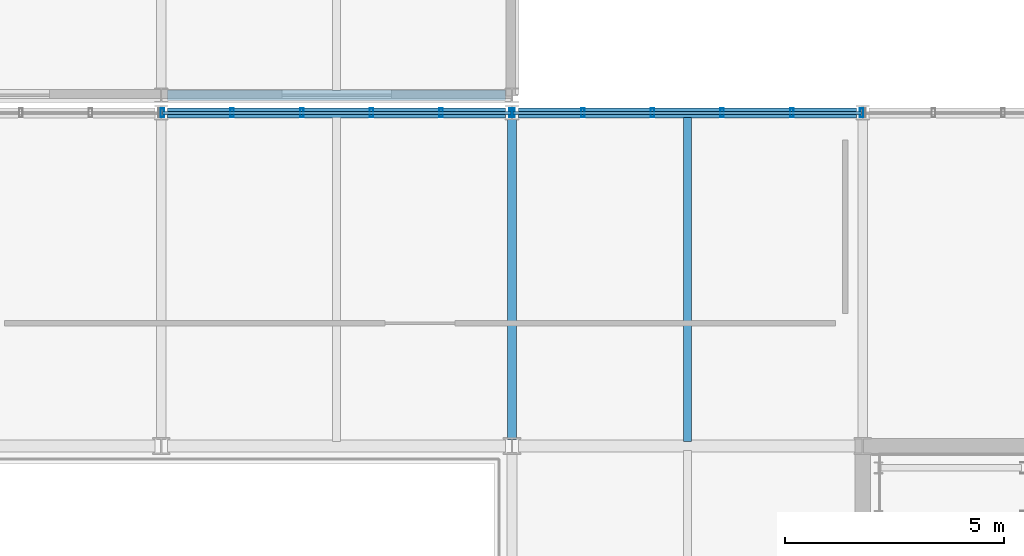
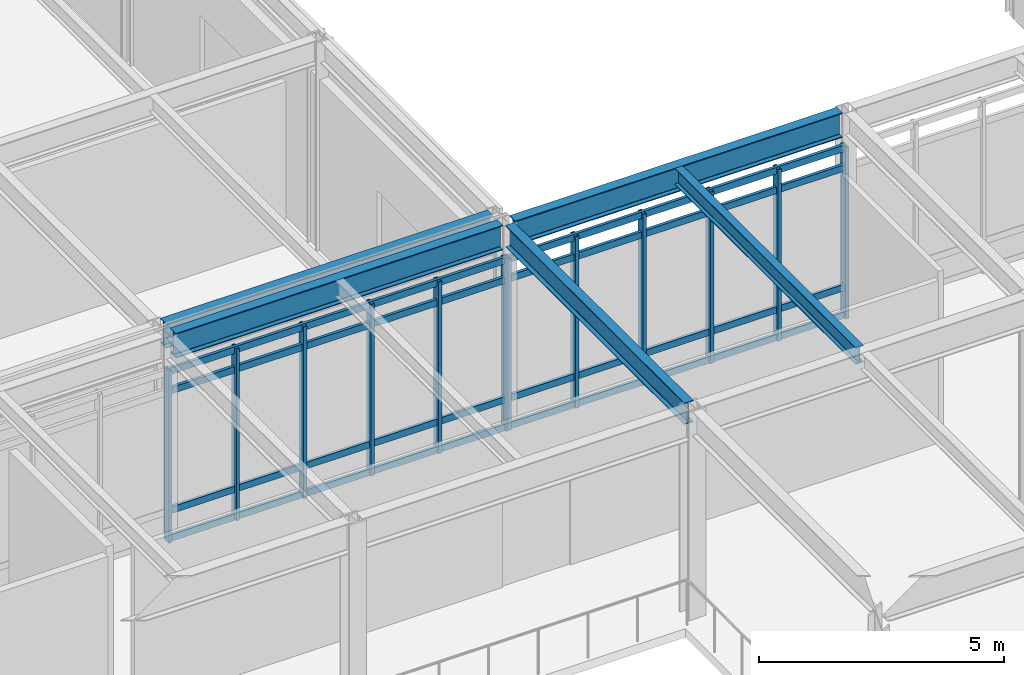
# One storey, part 46 of 94: 20 members, 5 beams, 2 elements without a shape of their own.
"""IFC4 building model written with IfcOpenShell, lengths in metres."""

from ifc_helpers import new_model, si_unit, direction, frame, origin, origin_2d, place, context, subcontext, project, spatial, hollow_rectangle, i_section, extrude, material, material_profile, profile_set, type_object, element, aggregate, save


model = new_model("IFC4")

# Units and contexts
model_context = context("Model", 3, precision=1e-05, world=origin(), true_north=direction((0.0, 1.0)))
body_context = subcontext(model_context, "Body", "Model", "MODEL_VIEW")
ifc_project = project(units=[si_unit("LENGTHUNIT", "METRE"), si_unit("AREAUNIT", "SQUARE_METRE"), si_unit("VOLUMEUNIT", "CUBIC_METRE"), si_unit("PLANEANGLEUNIT", "RADIAN"), si_unit("MASSUNIT", "GRAM", prefix="KILO")], contexts=[model_context])

# Site, building, storey
site_placement = place(None, origin())
site = spatial("IfcSite", under=ifc_project, at=site_placement, CompositionType="ELEMENT")
building_placement = place(site_placement, origin())
building = spatial("IfcBuilding", under=site, at=building_placement, Name="Zulena Civic Courthouse", CompositionType="ELEMENT")
storey_placement = place(building_placement, frame((0.0, 0.0, 5.39990234375)))
storey = spatial("IfcBuildingStorey", under=building, at=storey_placement, Name="L01", CompositionType="ELEMENT", Elevation=5.39990234375)

# Curtain wall, members
ifc_material_1 = material(Name="Double-silver low-E laminated solar-control glass", Category="glass")
curtain_wall_type = type_object("IfcCurtainWallType", Name="CW_7952x4280", PredefinedType="USERDEFINED", material=ifc_material_1)
curtain_wall_1_placement = place(storey_placement, origin())
curtain_wall_1 = element("IfcCurtainWall", 1, at=curtain_wall_1_placement, inside=storey, type_object=curtain_wall_type, Name="cw:V4:L01:1:4", ObjectType="UNITISED CURTAIN WALL", PredefinedType="USERDEFINED")
ifc_material_2 = material(Name="Bronze anodised thermally broken aluminium AA6063-T6", Category="aluminium")
ifc_material_profile_1 = material_profile(ifc_material_2, hollow_rectangle(XDim=0.080078125, YDim=0.199951171875, WallThickness=0.0048828125, at=origin_2d()), Name="CWM200X80X5")
ifc_profile_set_1 = profile_set([ifc_material_profile_1], Name="Bronze anodised thermally broken aluminium AA6063-T6")
member_type_1 = type_object("IfcMemberType", Name="CWMullion_200x80", PredefinedType="MULLION", material=ifc_profile_set_1)
member_1_placement = place(storey_placement, frame((100.02392578125, 45.60009765625, 0.0), z_axis=(0.0, 0.0, 1.0), x_axis=(1.0, 0.0, 0.0)))
member_1 = element("IfcMember", 2, at=member_1_placement, type_object=member_type_1, Name="cw:V4:L01:1:4:mull:0", PredefinedType="MULLION", context=body_context, shape_type="SweptSolid", body=[
    extrude(hollow_rectangle(XDim=0.080078125, YDim=0.199951171875, WallThickness=0.0048828125, at=origin_2d()), origin(), (0.0, 0.0, 1.0), 4.280029296875),
])
member_2_placement = place(storey_placement, frame((101.614501953125, 45.60009765625, 0.0), z_axis=(0.0, 0.0, 1.0), x_axis=(1.0, 0.0, 0.0)))
member_2 = element("IfcMember", 3, at=member_2_placement, type_object=member_type_1, Name="cw:V4:L01:1:4:mull:1", PredefinedType="MULLION", context=body_context, shape_type="SweptSolid", body=[
    extrude(hollow_rectangle(XDim=0.080078125, YDim=0.199951171875, WallThickness=0.0048828125, at=origin_2d()), origin(), (0.0, 0.0, 1.0), 4.280029296875),
])
member_3_placement = place(storey_placement, frame((103.204833984375, 45.60009765625, 0.0), z_axis=(0.0, 0.0, 1.0), x_axis=(1.0, 0.0, 0.0)))
member_3 = element("IfcMember", 4, at=member_3_placement, type_object=member_type_1, Name="cw:V4:L01:1:4:mull:2", PredefinedType="MULLION", context=body_context, shape_type="SweptSolid", body=[
    extrude(hollow_rectangle(XDim=0.080078125, YDim=0.199951171875, WallThickness=0.0048828125, at=origin_2d()), origin(), (0.0, 0.0, 1.0), 4.280029296875),
])
member_4_placement = place(storey_placement, frame((104.795166015625, 45.60009765625, 0.0), z_axis=(0.0, 0.0, 1.0), x_axis=(1.0, 0.0, 0.0)))
member_4 = element("IfcMember", 5, at=member_4_placement, type_object=member_type_1, Name="cw:V4:L01:1:4:mull:3", PredefinedType="MULLION", context=body_context, shape_type="SweptSolid", body=[
    extrude(hollow_rectangle(XDim=0.080078125, YDim=0.199951171875, WallThickness=0.0048828125, at=origin_2d()), origin(), (0.0, 0.0, 1.0), 4.280029296875),
])
member_5_placement = place(storey_placement, frame((106.385498046875, 45.60009765625, 0.0), z_axis=(0.0, 0.0, 1.0), x_axis=(1.0, 0.0, 0.0)))
member_5 = element("IfcMember", 6, at=member_5_placement, type_object=member_type_1, Name="cw:V4:L01:1:4:mull:4", PredefinedType="MULLION", context=body_context, shape_type="SweptSolid", body=[
    extrude(hollow_rectangle(XDim=0.080078125, YDim=0.199951171875, WallThickness=0.0048828125, at=origin_2d()), origin(), (0.0, 0.0, 1.0), 4.280029296875),
])
member_6_placement = place(storey_placement, frame((107.97607421875, 45.60009765625, 0.0), z_axis=(0.0, 0.0, 1.0), x_axis=(1.0, 0.0, 0.0)))
member_6 = element("IfcMember", 7, at=member_6_placement, type_object=member_type_1, Name="cw:V4:L01:1:4:mull:5", PredefinedType="MULLION", context=body_context, shape_type="SweptSolid", body=[
    extrude(hollow_rectangle(XDim=0.080078125, YDim=0.199951171875, WallThickness=0.0048828125, at=origin_2d()), origin(), (0.0, 0.0, 1.0), 4.280029296875),
])

curtain_wall_2_placement = place(storey_placement, origin())
curtain_wall_2 = element("IfcCurtainWall", 8, at=curtain_wall_2_placement, inside=storey, type_object=curtain_wall_type, Name="cw:V4:L01:1:5", ObjectType="UNITISED CURTAIN WALL", PredefinedType="USERDEFINED")
member_7_placement = place(storey_placement, frame((108.02392578125, 45.60009765625, 0.0), z_axis=(0.0, 0.0, 1.0), x_axis=(1.0, 0.0, 0.0)))
member_7 = element("IfcMember", 9, at=member_7_placement, type_object=member_type_1, Name="cw:V4:L01:1:5:mull:0", PredefinedType="MULLION", context=body_context, shape_type="SweptSolid", body=[
    extrude(hollow_rectangle(XDim=0.080078125, YDim=0.199951171875, WallThickness=0.0048828125, at=origin_2d()), origin(), (0.0, 0.0, 1.0), 4.280029296875),
])
member_8_placement = place(storey_placement, frame((109.614501953125, 45.60009765625, 0.0), z_axis=(0.0, 0.0, 1.0), x_axis=(1.0, 0.0, 0.0)))
member_8 = element("IfcMember", 10, at=member_8_placement, type_object=member_type_1, Name="cw:V4:L01:1:5:mull:1", PredefinedType="MULLION", context=body_context, shape_type="SweptSolid", body=[
    extrude(hollow_rectangle(XDim=0.080078125, YDim=0.199951171875, WallThickness=0.0048828125, at=origin_2d()), origin(), (0.0, 0.0, 1.0), 4.280029296875),
])
member_9_placement = place(storey_placement, frame((111.204833984375, 45.60009765625, 0.0), z_axis=(0.0, 0.0, 1.0), x_axis=(1.0, 0.0, 0.0)))
member_9 = element("IfcMember", 11, at=member_9_placement, type_object=member_type_1, Name="cw:V4:L01:1:5:mull:2", PredefinedType="MULLION", context=body_context, shape_type="SweptSolid", body=[
    extrude(hollow_rectangle(XDim=0.080078125, YDim=0.199951171875, WallThickness=0.0048828125, at=origin_2d()), origin(), (0.0, 0.0, 1.0), 4.280029296875),
])
member_10_placement = place(storey_placement, frame((112.795166015625, 45.60009765625, 0.0), z_axis=(0.0, 0.0, 1.0), x_axis=(1.0, 0.0, 0.0)))
member_10 = element("IfcMember", 12, at=member_10_placement, type_object=member_type_1, Name="cw:V4:L01:1:5:mull:3", PredefinedType="MULLION", context=body_context, shape_type="SweptSolid", body=[
    extrude(hollow_rectangle(XDim=0.080078125, YDim=0.199951171875, WallThickness=0.0048828125, at=origin_2d()), origin(), (0.0, 0.0, 1.0), 4.280029296875),
])
member_11_placement = place(storey_placement, frame((114.385498046875, 45.60009765625, 0.0), z_axis=(0.0, 0.0, 1.0), x_axis=(1.0, 0.0, 0.0)))
member_11 = element("IfcMember", 13, at=member_11_placement, type_object=member_type_1, Name="cw:V4:L01:1:5:mull:4", PredefinedType="MULLION", context=body_context, shape_type="SweptSolid", body=[
    extrude(hollow_rectangle(XDim=0.080078125, YDim=0.199951171875, WallThickness=0.0048828125, at=origin_2d()), origin(), (0.0, 0.0, 1.0), 4.280029296875),
])
member_12_placement = place(storey_placement, frame((115.97607421875, 45.60009765625, 0.0), z_axis=(0.0, 0.0, 1.0), x_axis=(1.0, 0.0, 0.0)))
member_12 = element("IfcMember", 14, at=member_12_placement, type_object=member_type_1, Name="cw:V4:L01:1:5:mull:5", PredefinedType="MULLION", context=body_context, shape_type="SweptSolid", body=[
    extrude(hollow_rectangle(XDim=0.080078125, YDim=0.199951171875, WallThickness=0.0048828125, at=origin_2d()), origin(), (0.0, 0.0, 1.0), 4.280029296875),
])

# Member
ifc_material_profile_2 = material_profile(ifc_material_2, hollow_rectangle(XDim=0.070068359375, YDim=0.1650390625, WallThickness=0.00390625, at=origin_2d()), Name="CWT165X70X4")
ifc_profile_set_2 = profile_set([ifc_material_profile_2], Name="Bronze anodised thermally broken aluminium AA6063-T6")
member_type_2 = type_object("IfcMemberType", Name="CWTransom_165x70", PredefinedType="USERDEFINED", material=ifc_profile_set_2)
member_13_placement = place(storey_placement, frame((100.02392578125, 45.60009765625, 0.06005859375), z_axis=(1.0, 0.0, 0.0), x_axis=(0.0, 1.0, 0.0)))
member_13 = element("IfcMember", 15, at=member_13_placement, type_object=member_type_2, Name="cw:V4:L01:1:4:tran:0", ObjectType="TRANSOM", PredefinedType="USERDEFINED", context=body_context, shape_type="SweptSolid", body=[
    extrude(hollow_rectangle(XDim=0.070068359375, YDim=0.1650390625, WallThickness=0.00390625, at=origin_2d()), origin(), (0.0, 0.0, 1.0), 7.9521484375),
])

member_14_placement = place(storey_placement, frame((100.02392578125, 45.60009765625, 0.75), z_axis=(1.0, 0.0, 0.0), x_axis=(0.0, 1.0, 0.0)))
member_14 = element("IfcMember", 16, at=member_14_placement, type_object=member_type_2, Name="cw:V4:L01:1:4:tran:1", ObjectType="TRANSOM", PredefinedType="USERDEFINED", context=body_context, shape_type="SweptSolid", body=[
    extrude(hollow_rectangle(XDim=0.070068359375, YDim=0.1650390625, WallThickness=0.00390625, at=origin_2d()), origin(), (0.0, 0.0, 1.0), 7.9521484375),
])

member_15_placement = place(storey_placement, frame((100.02392578125, 45.60009765625, 3.72998046875), z_axis=(1.0, 0.0, 0.0), x_axis=(0.0, 1.0, 0.0)))
member_15 = element("IfcMember", 17, at=member_15_placement, type_object=member_type_2, Name="cw:V4:L01:1:4:tran:2", ObjectType="TRANSOM", PredefinedType="USERDEFINED", context=body_context, shape_type="SweptSolid", body=[
    extrude(hollow_rectangle(XDim=0.070068359375, YDim=0.1650390625, WallThickness=0.00390625, at=origin_2d()), origin(), (0.0, 0.0, 1.0), 7.9521484375),
])

member_16_placement = place(storey_placement, frame((100.02392578125, 45.60009765625, 4.22021484375), z_axis=(1.0, 0.0, 0.0), x_axis=(0.0, 1.0, 0.0)))
member_16 = element("IfcMember", 18, at=member_16_placement, type_object=member_type_2, Name="cw:V4:L01:1:4:tran:3", ObjectType="TRANSOM", PredefinedType="USERDEFINED", context=body_context, shape_type="SweptSolid", body=[
    extrude(hollow_rectangle(XDim=0.070068359375, YDim=0.1650390625, WallThickness=0.00390625, at=origin_2d()), origin(), (0.0, 0.0, 1.0), 7.9521484375),
])

aggregate(curtain_wall_1, [member_1, member_2, member_3, member_4, member_5, member_6, member_13, member_14, member_15, member_16])

member_17_placement = place(storey_placement, frame((108.02392578125, 45.60009765625, 0.06005859375), z_axis=(1.0, 0.0, 0.0), x_axis=(0.0, 1.0, 0.0)))
member_17 = element("IfcMember", 19, at=member_17_placement, type_object=member_type_2, Name="cw:V4:L01:1:5:tran:0", ObjectType="TRANSOM", PredefinedType="USERDEFINED", context=body_context, shape_type="SweptSolid", body=[
    extrude(hollow_rectangle(XDim=0.070068359375, YDim=0.1650390625, WallThickness=0.00390625, at=origin_2d()), origin(), (0.0, 0.0, 1.0), 7.9521484375),
])

member_18_placement = place(storey_placement, frame((108.02392578125, 45.60009765625, 0.75), z_axis=(1.0, 0.0, 0.0), x_axis=(0.0, 1.0, 0.0)))
member_18 = element("IfcMember", 20, at=member_18_placement, type_object=member_type_2, Name="cw:V4:L01:1:5:tran:1", ObjectType="TRANSOM", PredefinedType="USERDEFINED", context=body_context, shape_type="SweptSolid", body=[
    extrude(hollow_rectangle(XDim=0.070068359375, YDim=0.1650390625, WallThickness=0.00390625, at=origin_2d()), origin(), (0.0, 0.0, 1.0), 7.9521484375),
])

member_19_placement = place(storey_placement, frame((108.02392578125, 45.60009765625, 3.72998046875), z_axis=(1.0, 0.0, 0.0), x_axis=(0.0, 1.0, 0.0)))
member_19 = element("IfcMember", 21, at=member_19_placement, type_object=member_type_2, Name="cw:V4:L01:1:5:tran:2", ObjectType="TRANSOM", PredefinedType="USERDEFINED", context=body_context, shape_type="SweptSolid", body=[
    extrude(hollow_rectangle(XDim=0.070068359375, YDim=0.1650390625, WallThickness=0.00390625, at=origin_2d()), origin(), (0.0, 0.0, 1.0), 7.9521484375),
])

member_20_placement = place(storey_placement, frame((108.02392578125, 45.60009765625, 4.22021484375), z_axis=(1.0, 0.0, 0.0), x_axis=(0.0, 1.0, 0.0)))
member_20 = element("IfcMember", 22, at=member_20_placement, type_object=member_type_2, Name="cw:V4:L01:1:5:tran:3", ObjectType="TRANSOM", PredefinedType="USERDEFINED", context=body_context, shape_type="SweptSolid", body=[
    extrude(hollow_rectangle(XDim=0.070068359375, YDim=0.1650390625, WallThickness=0.00390625, at=origin_2d()), origin(), (0.0, 0.0, 1.0), 7.9521484375),
])

aggregate(curtain_wall_2, [member_7, member_8, member_9, member_10, member_11, member_12, member_17, member_18, member_19, member_20])

# Beams
ifc_material_3 = material(Name="Steel ASTM A992 Grade 50", Category="steel")
ifc_material_profile_3 = material_profile(ifc_material_3, i_section(OverallWidth=0.180908203125, OverallDepth=0.4169921875, WebThickness=0.010986328125, FlangeThickness=0.018310546875, FilletRadius=0.01025390625, at=origin_2d()), Name="W16X57")
ifc_profile_set_3 = profile_set([ifc_material_profile_3], Name="Steel ASTM A992 Grade 50")
beam_type_1 = type_object("IfcBeamType", Name="Joist_W16X57", PredefinedType="JOIST", material=ifc_profile_set_3)
beam_1_placement = place(storey_placement, frame((112.0, 38.10498046875, 4.9765625), z_axis=(0.0, 1.0, 0.0), x_axis=(-1.0, 0.0, 0.0)))
element("IfcBeam", 23, at=beam_1_placement, inside=storey, type_object=beam_type_1, Name="joist:V4:L01:112.00:38.0_45.6", PredefinedType="JOIST", context=body_context, shape_type="SweptSolid", body=[
    extrude(i_section(OverallWidth=0.180908203125, OverallDepth=0.4169921875, WebThickness=0.010986328125, FlangeThickness=0.018310546875, FilletRadius=0.01025390625, at=origin_2d()), origin(), (0.0, 0.0, 1.0), 7.39013671875),
])
ifc_material_profile_4 = material_profile(ifc_material_3, i_section(OverallWidth=0.2099609375, OverallDepth=0.537109375, WebThickness=0.010986328125, FlangeThickness=0.017333984375, FilletRadius=0.0126953125, at=origin_2d()), Name="W21X68")
ifc_profile_set_4 = profile_set([ifc_material_profile_4], Name="Steel ASTM A992 Grade 50")
beam_type_2 = type_object("IfcBeamType", Name="Spandrel_W21X68", PredefinedType="SPANDREL", material=ifc_profile_set_4)
beam_2_placement = place(storey_placement, frame((108.0, 38.14501953125, 4.91650390625), z_axis=(0.0, 1.0, 0.0), x_axis=(-1.0, 0.0, 0.0)))
element("IfcBeam", 24, at=beam_2_placement, inside=storey, type_object=beam_type_2, Name="beam:Y:V4:L01:108.0:38.0_45.6", PredefinedType="SPANDREL", context=body_context, shape_type="SweptSolid", body=[
    extrude(i_section(OverallWidth=0.2099609375, OverallDepth=0.537109375, WebThickness=0.010986328125, FlangeThickness=0.017333984375, FilletRadius=0.0126953125, at=origin_2d()), origin(), (0.0, 0.0, 1.0), 7.31005859375),
])
ifc_material_profile_5 = material_profile(ifc_material_3, i_section(OverallWidth=0.22998046875, OverallDepth=0.616943359375, WebThickness=0.01318359375, FlangeThickness=0.022216796875, FilletRadius=0.0126953125, at=origin_2d()), Name="W24X94")
ifc_profile_set_5 = profile_set([ifc_material_profile_5], Name="Steel ASTM A992 Grade 50")
beam_type_3 = type_object("IfcBeamType", Name="Spandrel_W24X94", PredefinedType="SPANDREL", material=ifc_profile_set_5)
for number, where, z_axis, x_axis, name in (
    (25, (100.14501953125, 45.60009765625, 4.876708984375), (1.0, 0.0, 0.0), (0.0, 1.0, 0.0), "beam:X:V4:L01:45.6:100.0_108.0"),
    (26, (108.14501953125, 45.60009765625, 4.876708984375), (1.0, 0.0, 0.0), (0.0, 1.0, 0.0), "beam:X:V4:L01:45.6:108.0_116.0"),
    (27, (100.14501953125, 46.0, 4.876708984375), (1.0, 0.0, 0.0), (0.0, 1.0, 0.0), "beam:X:V5:L01:46.0:100.0_108.0"),
):
    element("IfcBeam", number, at=place(storey_placement, frame(where, z_axis=z_axis, x_axis=x_axis)), inside=storey, type_object=beam_type_3, Name=name, PredefinedType="SPANDREL", context=body_context, shape_type="SweptSolid", body=[
        extrude(i_section(OverallWidth=0.22998046875, OverallDepth=0.616943359375, WebThickness=0.01318359375, FlangeThickness=0.022216796875, FilletRadius=0.0126953125, at=origin_2d()), origin(), (0.0, 0.0, 1.0), 7.7099609375),
    ])

save(model, "model.ifc")
